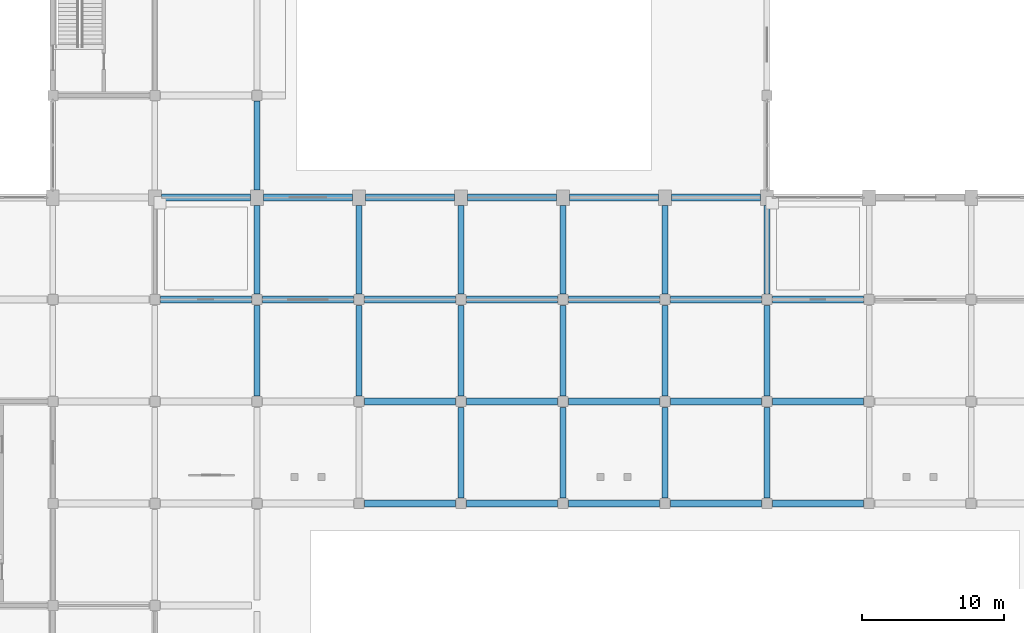
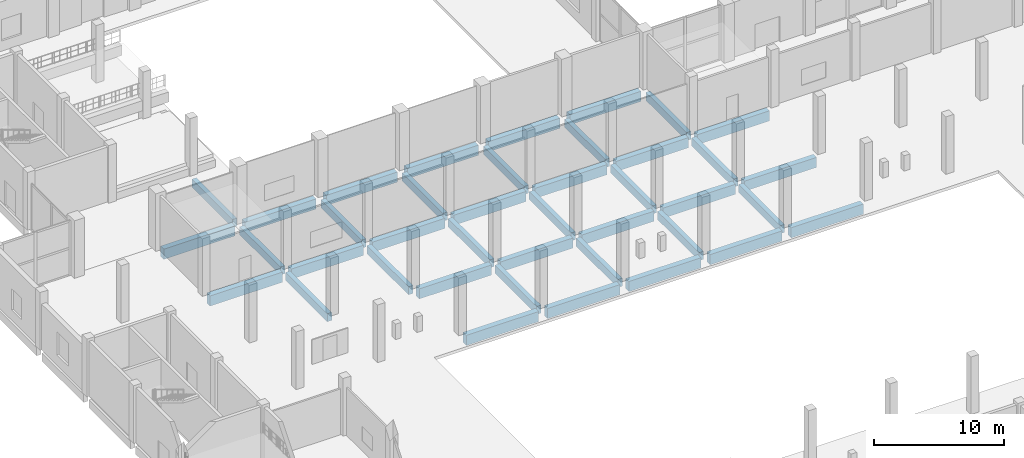
# One storey, part 19 of 70: 40 beams.
"""IFC4 building model written with IfcOpenShell, lengths in metres."""

from ifc_helpers import new_model, si_unit, direction, frame, origin, origin_2d, place, context, subcontext, project, spatial, rectangle, extrude, material, material_profile, profile_set, type_object, element, save


model = new_model("IFC4")

# Units and contexts
model_context = context("Model", 3, precision=1e-05, world=origin(), true_north=direction((0.0, 1.0)))
body_context = subcontext(model_context, "Body", "Model", "MODEL_VIEW")
ifc_project = project(units=[si_unit("LENGTHUNIT", "METRE"), si_unit("AREAUNIT", "SQUARE_METRE"), si_unit("VOLUMEUNIT", "CUBIC_METRE"), si_unit("PLANEANGLEUNIT", "RADIAN"), si_unit("MASSUNIT", "GRAM", prefix="KILO")], contexts=[model_context])

# Site, building, storey
site_placement = place(None, origin())
site = spatial("IfcSite", under=ifc_project, at=site_placement, CompositionType="ELEMENT")
building_placement = place(site_placement, origin())
building = spatial("IfcBuilding", under=site, at=building_placement, Name="Vesperath Aquatics Centre", CompositionType="ELEMENT")
storey_placement = place(building_placement, origin())
storey = spatial("IfcBuildingStorey", under=building, at=storey_placement, Name="L00", CompositionType="ELEMENT", Elevation=0.0)

# Beams
ifc_material_1 = material(Name="Concrete C40", Category="concrete")
ifc_material_profile_1 = material_profile(ifc_material_1, rectangle(XDim=0.5, YDim=0.949951171875, at=origin_2d()), Name="RC 500x950")
ifc_profile_set_1 = profile_set([ifc_material_profile_1], Name="Concrete C40")
beam_type_1 = type_object("IfcBeamType", Name="BM-G02", PredefinedType="BEAM", material=ifc_profile_set_1)
beam_1_placement = place(storey_placement, frame((14.800048828125, 79.199951171875, -0.7548828125), z_axis=(1.0, 0.0, 0.0), x_axis=(0.0, 1.0, 0.0)))
element("IfcBeam", 1, at=beam_1_placement, inside=storey, type_object=beam_type_1, Name="Floor Girder B02 L00 M 3-4", PredefinedType="BEAM", context=body_context, shape_type="SweptSolid", body=[
    extrude(rectangle(XDim=0.5, YDim=0.949951171875, at=origin_2d()), origin(), (0.0, 0.0, 1.0), 6.39990234375),
])
beam_2_placement = place(storey_placement, frame((14.85009765625, 86.39990234375, -0.7548828125), z_axis=(1.0, 0.0, 0.0), x_axis=(0.0, 1.0, 0.0)))
element("IfcBeam", 2, at=beam_2_placement, inside=storey, type_object=beam_type_1, Name="Floor Girder B02 L00 N 3-4", PredefinedType="BEAM", context=body_context, shape_type="SweptSolid", body=[
    extrude(rectangle(XDim=0.5, YDim=0.949951171875, at=origin_2d()), origin(), (0.0, 0.0, 1.0), 6.2998046875),
])
beam_3_placement = place(storey_placement, frame((22.0, 79.199951171875, -0.7548828125), z_axis=(1.0, 0.0, 0.0), x_axis=(0.0, 1.0, 0.0)))
element("IfcBeam", 3, at=beam_3_placement, inside=storey, type_object=beam_type_1, Name="Floor Girder B02 L00 M 4-5", PredefinedType="BEAM", context=body_context, shape_type="SweptSolid", body=[
    extrude(rectangle(XDim=0.5, YDim=0.949951171875, at=origin_2d()), origin(), (0.0, 0.0, 1.0), 6.39990234375),
])
beam_4_placement = place(storey_placement, frame((22.050048828125, 86.39990234375, -0.7548828125), z_axis=(1.0, 0.0, 0.0), x_axis=(0.0, 1.0, 0.0)))
element("IfcBeam", 4, at=beam_4_placement, inside=storey, type_object=beam_type_1, Name="Floor Girder B02 L00 N 4-5", PredefinedType="BEAM", context=body_context, shape_type="SweptSolid", body=[
    extrude(rectangle(XDim=0.5, YDim=0.949951171875, at=origin_2d()), origin(), (0.0, 0.0, 1.0), 6.300048828125),
])
for number, where, z_axis, x_axis, name in (
    (5, (29.199951171875, 64.800048828125, -0.7548828125), (1.0, 0.0, 0.0), (0.0, 1.0, 0.0), "Floor Girder B02 L00 K 5-6"),
    (6, (29.199951171875, 72.0, -0.7548828125), (1.0, 0.0, 0.0), (0.0, 1.0, 0.0), "Floor Girder B02 L00 L 5-6"),
    (7, (29.199951171875, 79.199951171875, -0.7548828125), (1.0, 0.0, 0.0), (0.0, 1.0, 0.0), "Floor Girder B02 L00 M 5-6"),
):
    element("IfcBeam", number, at=place(storey_placement, frame(where, z_axis=z_axis, x_axis=x_axis)), inside=storey, type_object=beam_type_1, Name=name, PredefinedType="BEAM", context=body_context, shape_type="SweptSolid", body=[
        extrude(rectangle(XDim=0.5, YDim=0.949951171875, at=origin_2d()), origin(), (0.0, 0.0, 1.0), 6.400146484375),
    ])
beam_5_placement = place(storey_placement, frame((29.25, 86.39990234375, -0.7548828125), z_axis=(1.0, 0.0, 0.0), x_axis=(0.0, 1.0, 0.0)))
element("IfcBeam", 8, at=beam_5_placement, inside=storey, type_object=beam_type_1, Name="Floor Girder B02 L00 N 5-6", PredefinedType="BEAM", context=body_context, shape_type="SweptSolid", body=[
    extrude(rectangle(XDim=0.5, YDim=0.949951171875, at=origin_2d()), origin(), (0.0, 0.0, 1.0), 6.300048828125),
])
for number, where, z_axis, x_axis, name in (
    (9, (36.39990234375, 64.800048828125, -0.7548828125), (1.0, 0.0, 0.0), (0.0, 1.0, 0.0), "Floor Girder B02 L00 K 6-7"),
    (10, (36.39990234375, 72.0, -0.7548828125), (1.0, 0.0, 0.0), (0.0, 1.0, 0.0), "Floor Girder B02 L00 L 6-7"),
    (11, (36.39990234375, 79.199951171875, -0.7548828125), (1.0, 0.0, 0.0), (0.0, 1.0, 0.0), "Floor Girder B02 L00 M 6-7"),
):
    element("IfcBeam", number, at=place(storey_placement, frame(where, z_axis=z_axis, x_axis=x_axis)), inside=storey, type_object=beam_type_1, Name=name, PredefinedType="BEAM", context=body_context, shape_type="SweptSolid", body=[
        extrude(rectangle(XDim=0.5, YDim=0.949951171875, at=origin_2d()), origin(), (0.0, 0.0, 1.0), 6.400146484375),
    ])
beam_6_placement = place(storey_placement, frame((36.449951171875, 86.39990234375, -0.7548828125), z_axis=(1.0, 0.0, 0.0), x_axis=(0.0, 1.0, 0.0)))
element("IfcBeam", 12, at=beam_6_placement, inside=storey, type_object=beam_type_1, Name="Floor Girder B02 L00 N 6-7", PredefinedType="BEAM", context=body_context, shape_type="SweptSolid", body=[
    extrude(rectangle(XDim=0.5, YDim=0.949951171875, at=origin_2d()), origin(), (0.0, 0.0, 1.0), 6.300048828125),
])
for number, where, z_axis, x_axis, name in (
    (13, (43.60009765625, 64.800048828125, -0.7548828125), (1.0, 0.0, 0.0), (0.0, 1.0, 0.0), "Floor Girder B02 L00 K 7-8"),
    (14, (43.60009765625, 72.0, -0.7548828125), (1.0, 0.0, 0.0), (0.0, 1.0, 0.0), "Floor Girder B02 L00 L 7-8"),
    (15, (43.60009765625, 79.199951171875, -0.7548828125), (1.0, 0.0, 0.0), (0.0, 1.0, 0.0), "Floor Girder B02 L00 M 7-8"),
):
    element("IfcBeam", number, at=place(storey_placement, frame(where, z_axis=z_axis, x_axis=x_axis)), inside=storey, type_object=beam_type_1, Name=name, PredefinedType="BEAM", context=body_context, shape_type="SweptSolid", body=[
        extrude(rectangle(XDim=0.5, YDim=0.949951171875, at=origin_2d()), origin(), (0.0, 0.0, 1.0), 6.39990234375),
    ])
beam_7_placement = place(storey_placement, frame((43.64990234375, 86.39990234375, -0.7548828125), z_axis=(1.0, 0.0, 0.0), x_axis=(0.0, 1.0, 0.0)))
element("IfcBeam", 16, at=beam_7_placement, inside=storey, type_object=beam_type_1, Name="Floor Girder B02 L00 N 7-8", PredefinedType="BEAM", context=body_context, shape_type="SweptSolid", body=[
    extrude(rectangle(XDim=0.5, YDim=0.949951171875, at=origin_2d()), origin(), (0.0, 0.0, 1.0), 6.300048828125),
])
for number, where, z_axis, x_axis, name in (
    (17, (50.800048828125, 64.800048828125, -0.7548828125), (1.0, 0.0, 0.0), (0.0, 1.0, 0.0), "Floor Girder B02 L00 K 8-9"),
    (18, (50.800048828125, 72.0, -0.7548828125), (1.0, 0.0, 0.0), (0.0, 1.0, 0.0), "Floor Girder B02 L00 L 8-9"),
    (19, (50.800048828125, 79.199951171875, -0.7548828125), (1.0, 0.0, 0.0), (0.0, 1.0, 0.0), "Floor Girder B02 L00 M 8-9"),
):
    element("IfcBeam", number, at=place(storey_placement, frame(where, z_axis=z_axis, x_axis=x_axis)), inside=storey, type_object=beam_type_1, Name=name, PredefinedType="BEAM", context=body_context, shape_type="SweptSolid", body=[
        extrude(rectangle(XDim=0.5, YDim=0.949951171875, at=origin_2d()), origin(), (0.0, 0.0, 1.0), 6.39990234375),
    ])
beam_8_placement = place(storey_placement, frame((50.85009765625, 86.39990234375, -0.7548828125), z_axis=(1.0, 0.0, 0.0), x_axis=(0.0, 1.0, 0.0)))
element("IfcBeam", 20, at=beam_8_placement, inside=storey, type_object=beam_type_1, Name="Floor Girder B02 L00 N 8-9", PredefinedType="BEAM", context=body_context, shape_type="SweptSolid", body=[
    extrude(rectangle(XDim=0.5, YDim=0.949951171875, at=origin_2d()), origin(), (0.0, 0.0, 1.0), 6.2998046875),
])
for number, where, z_axis, x_axis, name in (
    (21, (58.0, 64.800048828125, -0.7548828125), (1.0, 0.0, 0.0), (0.0, 1.0, 0.0), "Floor Girder B02 L00 K 9-10"),
    (22, (58.0, 72.0, -0.7548828125), (1.0, 0.0, 0.0), (0.0, 1.0, 0.0), "Floor Girder B02 L00 L 9-10"),
    (23, (58.0, 79.199951171875, -0.7548828125), (1.0, 0.0, 0.0), (0.0, 1.0, 0.0), "Floor Girder B02 L00 M 9-10"),
):
    element("IfcBeam", number, at=place(storey_placement, frame(where, z_axis=z_axis, x_axis=x_axis)), inside=storey, type_object=beam_type_1, Name=name, PredefinedType="BEAM", context=body_context, shape_type="SweptSolid", body=[
        extrude(rectangle(XDim=0.5, YDim=0.949951171875, at=origin_2d()), origin(), (0.0, 0.0, 1.0), 6.39990234375),
    ])
ifc_material_2 = material(Name="Concrete C35", Category="concrete")
ifc_material_profile_2 = material_profile(ifc_material_2, rectangle(XDim=0.39990234375, YDim=0.75, at=origin_2d()), Name="RC 400x750")
ifc_profile_set_2 = profile_set([ifc_material_profile_2], Name="Concrete C35")
beam_type_2 = type_object("IfcBeamType", Name="BM-G04", PredefinedType="BEAM", material=ifc_profile_set_2)
beam_9_placement = place(storey_placement, frame((21.60009765625, 72.39990234375, -0.655029296875), z_axis=(0.0, 1.0, 0.0), x_axis=(-1.0, 0.0, 0.0)))
element("IfcBeam", 24, at=beam_9_placement, inside=storey, type_object=beam_type_2, Name="Floor Girder B04 L00 4 L-M", PredefinedType="BEAM", context=body_context, shape_type="SweptSolid", body=[
    extrude(rectangle(XDim=0.39990234375, YDim=0.75, at=origin_2d()), origin(), (0.0, 0.0, 1.0), 6.400146484375),
])
for number, where, z_axis, x_axis, name in (
    (25, (21.60009765625, 79.60009765625, -0.655029296875), (0.0, 1.0, 0.0), (-1.0, 0.0, 0.0), "Floor Girder B04 L00 4 M-N"),
    (26, (21.60009765625, 86.949951171875, -0.655029296875), (0.0, 1.0, 0.0), (-1.0, 0.0, 0.0), "Floor Girder B04 L00 4 N-P"),
):
    element("IfcBeam", number, at=place(storey_placement, frame(where, z_axis=z_axis, x_axis=x_axis)), inside=storey, type_object=beam_type_2, Name=name, PredefinedType="BEAM", context=body_context, shape_type="SweptSolid", body=[
        extrude(rectangle(XDim=0.39990234375, YDim=0.75, at=origin_2d()), origin(), (0.0, 0.0, 1.0), 6.25),
    ])
beam_10_placement = place(storey_placement, frame((28.800048828125, 72.39990234375, -0.655029296875), z_axis=(0.0, 1.0, 0.0), x_axis=(-1.0, 0.0, 0.0)))
element("IfcBeam", 27, at=beam_10_placement, inside=storey, type_object=beam_type_2, Name="Floor Girder B04 L00 5 L-M", PredefinedType="BEAM", context=body_context, shape_type="SweptSolid", body=[
    extrude(rectangle(XDim=0.39990234375, YDim=0.75, at=origin_2d()), origin(), (0.0, 0.0, 1.0), 6.400146484375),
])
beam_11_placement = place(storey_placement, frame((28.800048828125, 79.60009765625, -0.655029296875), z_axis=(0.0, 1.0, 0.0), x_axis=(-1.0, 0.0, 0.0)))
element("IfcBeam", 28, at=beam_11_placement, inside=storey, type_object=beam_type_2, Name="Floor Girder B04 L00 5 M-N", PredefinedType="BEAM", context=body_context, shape_type="SweptSolid", body=[
    extrude(rectangle(XDim=0.39990234375, YDim=0.75, at=origin_2d()), origin(), (0.0, 0.0, 1.0), 6.25),
])
for number, where, z_axis, x_axis, name in (
    (29, (36.0, 65.199951171875, -0.655029296875), (0.0, 1.0, 0.0), (-1.0, 0.0, 0.0), "Floor Girder B04 L00 6 K-L"),
    (30, (36.0, 72.39990234375, -0.655029296875), (0.0, 1.0, 0.0), (-1.0, 0.0, 0.0), "Floor Girder B04 L00 6 L-M"),
):
    element("IfcBeam", number, at=place(storey_placement, frame(where, z_axis=z_axis, x_axis=x_axis)), inside=storey, type_object=beam_type_2, Name=name, PredefinedType="BEAM", context=body_context, shape_type="SweptSolid", body=[
        extrude(rectangle(XDim=0.39990234375, YDim=0.75, at=origin_2d()), origin(), (0.0, 0.0, 1.0), 6.400146484375),
    ])
beam_12_placement = place(storey_placement, frame((36.0, 79.60009765625, -0.655029296875), z_axis=(0.0, 1.0, 0.0), x_axis=(-1.0, 0.0, 0.0)))
element("IfcBeam", 31, at=beam_12_placement, inside=storey, type_object=beam_type_2, Name="Floor Girder B04 L00 6 M-N", PredefinedType="BEAM", context=body_context, shape_type="SweptSolid", body=[
    extrude(rectangle(XDim=0.39990234375, YDim=0.75, at=origin_2d()), origin(), (0.0, 0.0, 1.0), 6.25),
])
for number, where, z_axis, x_axis, name in (
    (32, (43.199951171875, 65.199951171875, -0.655029296875), (0.0, 1.0, 0.0), (-1.0, 0.0, 0.0), "Floor Girder B04 L00 7 K-L"),
    (33, (43.199951171875, 72.39990234375, -0.655029296875), (0.0, 1.0, 0.0), (-1.0, 0.0, 0.0), "Floor Girder B04 L00 7 L-M"),
):
    element("IfcBeam", number, at=place(storey_placement, frame(where, z_axis=z_axis, x_axis=x_axis)), inside=storey, type_object=beam_type_2, Name=name, PredefinedType="BEAM", context=body_context, shape_type="SweptSolid", body=[
        extrude(rectangle(XDim=0.39990234375, YDim=0.75, at=origin_2d()), origin(), (0.0, 0.0, 1.0), 6.400146484375),
    ])
beam_13_placement = place(storey_placement, frame((43.199951171875, 79.60009765625, -0.655029296875), z_axis=(0.0, 1.0, 0.0), x_axis=(-1.0, 0.0, 0.0)))
element("IfcBeam", 34, at=beam_13_placement, inside=storey, type_object=beam_type_2, Name="Floor Girder B04 L00 7 M-N", PredefinedType="BEAM", context=body_context, shape_type="SweptSolid", body=[
    extrude(rectangle(XDim=0.39990234375, YDim=0.75, at=origin_2d()), origin(), (0.0, 0.0, 1.0), 6.25),
])
for number, where, z_axis, x_axis, name in (
    (35, (50.39990234375, 65.199951171875, -0.655029296875), (0.0, 1.0, 0.0), (-1.0, 0.0, 0.0), "Floor Girder B04 L00 8 K-L"),
    (36, (50.39990234375, 72.39990234375, -0.655029296875), (0.0, 1.0, 0.0), (-1.0, 0.0, 0.0), "Floor Girder B04 L00 8 L-M"),
):
    element("IfcBeam", number, at=place(storey_placement, frame(where, z_axis=z_axis, x_axis=x_axis)), inside=storey, type_object=beam_type_2, Name=name, PredefinedType="BEAM", context=body_context, shape_type="SweptSolid", body=[
        extrude(rectangle(XDim=0.39990234375, YDim=0.75, at=origin_2d()), origin(), (0.0, 0.0, 1.0), 6.400146484375),
    ])
beam_14_placement = place(storey_placement, frame((50.39990234375, 79.60009765625, -0.655029296875), z_axis=(0.0, 1.0, 0.0), x_axis=(-1.0, 0.0, 0.0)))
element("IfcBeam", 37, at=beam_14_placement, inside=storey, type_object=beam_type_2, Name="Floor Girder B04 L00 8 M-N", PredefinedType="BEAM", context=body_context, shape_type="SweptSolid", body=[
    extrude(rectangle(XDim=0.39990234375, YDim=0.75, at=origin_2d()), origin(), (0.0, 0.0, 1.0), 6.25),
])
for number, where, z_axis, x_axis, name in (
    (38, (57.60009765625, 65.199951171875, -0.655029296875), (0.0, 1.0, 0.0), (-1.0, 0.0, 0.0), "Floor Girder B04 L00 9 K-L"),
    (39, (57.60009765625, 72.39990234375, -0.655029296875), (0.0, 1.0, 0.0), (-1.0, 0.0, 0.0), "Floor Girder B04 L00 9 L-M"),
):
    element("IfcBeam", number, at=place(storey_placement, frame(where, z_axis=z_axis, x_axis=x_axis)), inside=storey, type_object=beam_type_2, Name=name, PredefinedType="BEAM", context=body_context, shape_type="SweptSolid", body=[
        extrude(rectangle(XDim=0.39990234375, YDim=0.75, at=origin_2d()), origin(), (0.0, 0.0, 1.0), 6.400146484375),
    ])
beam_15_placement = place(storey_placement, frame((57.60009765625, 79.60009765625, -0.655029296875), z_axis=(0.0, 1.0, 0.0), x_axis=(-1.0, 0.0, 0.0)))
element("IfcBeam", 40, at=beam_15_placement, inside=storey, type_object=beam_type_2, Name="Floor Girder B04 L00 9 M-N", PredefinedType="BEAM", context=body_context, shape_type="SweptSolid", body=[
    extrude(rectangle(XDim=0.39990234375, YDim=0.75, at=origin_2d()), origin(), (0.0, 0.0, 1.0), 6.25),
])

save(model, "model.ifc")
